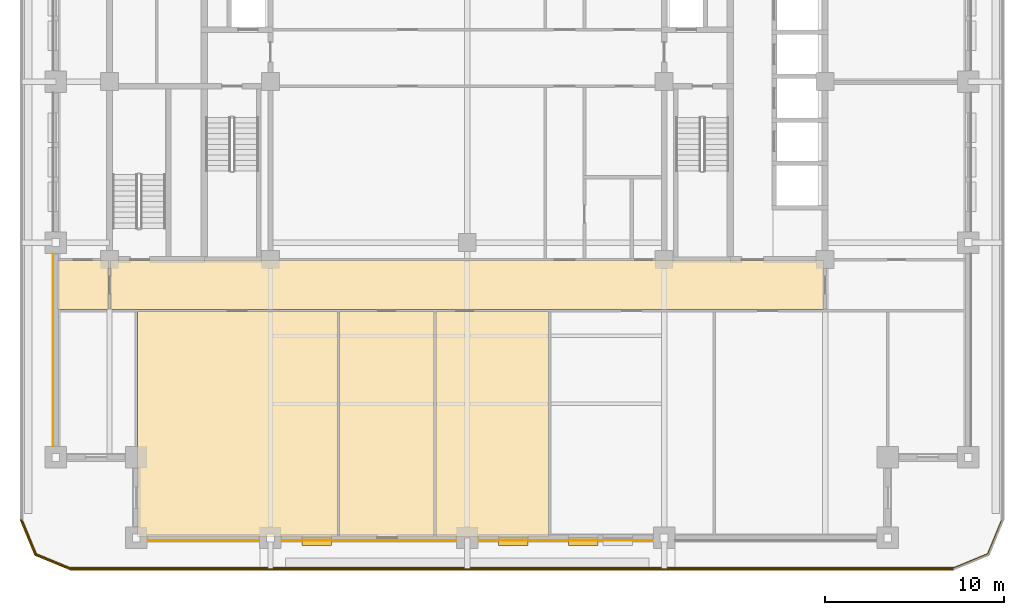
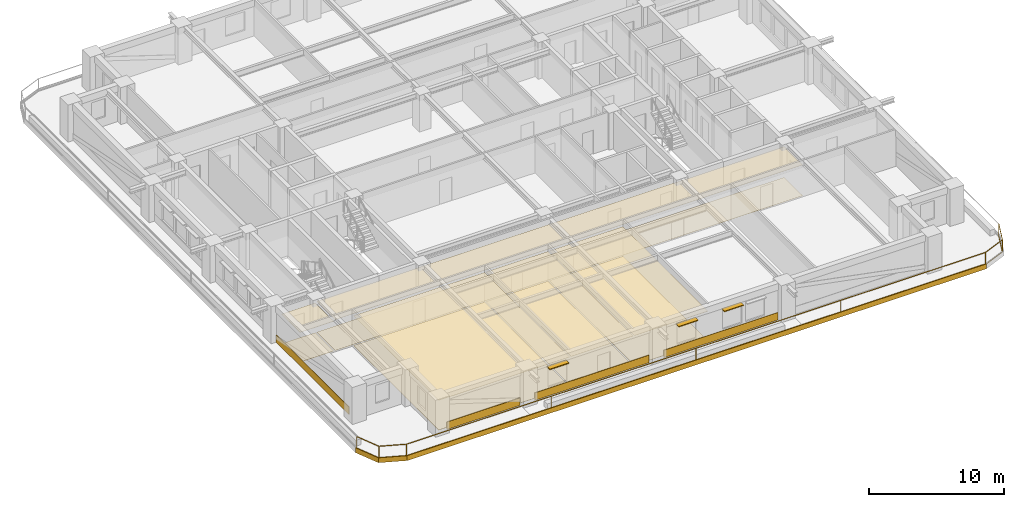
# One storey, part 8 of 13: 17 coverings, 3 shading devices, 1 railing.
"""IFC4 building model written with IfcOpenShell, lengths in metres."""

from ifc_helpers import new_model, si_unit, direction, frame, frame_2d, origin, origin_2d, place, context, subcontext, project, spatial, polyline, rectangle, outline, extrude, material, layer, layer_set, type_object, element, save


model = new_model("IFC4")

# Units and contexts
model_context = context("Model", 3, precision=1e-05, world=origin(), true_north=direction((0.0, 1.0)))
body_context = subcontext(model_context, "Body", "Model", "MODEL_VIEW")
ifc_project = project(units=[si_unit("LENGTHUNIT", "METRE"), si_unit("AREAUNIT", "SQUARE_METRE"), si_unit("VOLUMEUNIT", "CUBIC_METRE"), si_unit("PLANEANGLEUNIT", "RADIAN"), si_unit("MASSUNIT", "GRAM", prefix="KILO")], contexts=[model_context])

# Site, building, storey
site_placement = place(None, origin())
site = spatial("IfcSite", under=ifc_project, at=site_placement, CompositionType="ELEMENT")
building_placement = place(site_placement, origin())
building = spatial("IfcBuilding", under=site, at=building_placement, Name="Zulmaris Gate Convention Tower", CompositionType="ELEMENT")
storey_placement = place(building_placement, frame((0.0, 0.0, 109.2099609375)))
storey = spatial("IfcBuildingStorey", under=building, at=storey_placement, Name="L27", CompositionType="ELEMENT", Elevation=109.2099609375)

# Coverings
ifc_material_1 = material(Name="Precast concrete C40/50", Category="concrete")
ifc_layer_1 = layer(ifc_material_1, 0.0400390625, Name="Precast concrete C40/50")
ifc_layer_set_1 = layer_set([ifc_layer_1], Name="Precast concrete C40/50")
covering_type_1 = type_object("IfcCoveringType", Name="CLAD-SPANDREL-PRECAST", PredefinedType="CLADDING", material=ifc_layer_set_1)
covering_1_placement = place(storey_placement, frame((-17.8701171875, -25.64990234375, 0.0), z_axis=(0.0, 0.0, 1.0), x_axis=(1.0, 0.0, 0.0)))
element("IfcCovering", 1, at=covering_1_placement, inside=storey, type_object=covering_type_1, Name="CLD-L27-S-0_0", PredefinedType="CLADDING", context=body_context, shape_type="SweptSolid", body=[
    extrude(rectangle(XDim=6.240234375, YDim=0.0400390625, at=frame_2d((3.1201171875, 0.0))), origin(), (0.0, 0.0, 1.0), 0.679931640625),
])
for number, where, z_axis, x_axis, name in (
    (2, (-10.3701171875, -25.64990234375, 0.0), (0.0, 0.0, 1.0), (1.0, 0.0, 0.0), "CLD-L27-S-1_0"),
    (3, (0.6298828125, -25.64990234375, 0.0), (0.0, 0.0, 1.0), (1.0, 0.0, 0.0), "CLD-L27-S-2_0"),
):
    element("IfcCovering", number, at=place(storey_placement, frame(where, z_axis=z_axis, x_axis=x_axis)), inside=storey, type_object=covering_type_1, Name=name, PredefinedType="CLADDING", context=body_context, shape_type="SweptSolid", body=[
        extrude(rectangle(XDim=9.740234375, YDim=0.0400390625, at=frame_2d((4.8701171875, 0.0))), origin(), (0.0, 0.0, 1.0), 0.679931640625),
    ])
covering_2_placement = place(storey_placement, frame((-23.14990234375, -9.6298828125, 0.0), z_axis=(0.0, 0.0, 1.0), x_axis=(0.0, -1.0, 0.0)))
element("IfcCovering", 4, at=covering_2_placement, inside=storey, type_object=covering_type_1, Name="CLD-L27-W-0_0", PredefinedType="CLADDING", context=body_context, shape_type="SweptSolid", body=[
    extrude(rectangle(XDim=10.740234375, YDim=0.0400390625, at=frame_2d((5.3701171875, 0.0))), origin(), (0.0, 0.0, 1.0), 0.679931640625),
])
ifc_material_2 = material(Name="White Glazed Architectural Precast Concrete C40/50", Category="concrete")
ifc_layer_2 = layer(ifc_material_2, 0.080078125, Name="White Glazed Architectural Precast Concrete C40/50")
ifc_layer_set_2 = layer_set([ifc_layer_2], Name="White Glazed Architectural Precast Concrete C40/50")
covering_type_2 = type_object("IfcCoveringType", Name="CLAD-TRAY-FASCIA", PredefinedType="CLADDING", material=ifc_layer_set_2)
covering_3_placement = place(storey_placement, frame((-24.962890625, -24.484619140625, -0.2900390625), z_axis=(0.0, 0.0, 1.0), x_axis=(0.382656984709, -0.923890487046, 0.0)))
element("IfcCovering", 5, at=covering_3_placement, inside=storey, type_object=covering_type_2, Name="FSC-L27-TR-00", PredefinedType="CLADDING", context=body_context, shape_type="SweptSolid", body=[
    extrude(rectangle(XDim=2.14306640625, YDim=0.080078125, at=frame_2d((1.071533203125, 0.0))), origin(), (0.0, 0.0, 1.0), 0.440185546875),
])
covering_4_placement = place(storey_placement, frame((-24.16455078125, -26.44287109375, -0.2900390625), z_axis=(0.0, 0.0, 1.0), x_axis=(0.923873803533, -0.382697263049, 0.0)))
element("IfcCovering", 6, at=covering_4_placement, inside=storey, type_object=covering_type_2, Name="FSC-L27-TR-01", PredefinedType="CLADDING", context=body_context, shape_type="SweptSolid", body=[
    extrude(rectangle(XDim=2.142822265625, YDim=0.080078125, at=frame_2d((1.0712890625, 0.0))), origin(), (0.0, 0.0, 1.0), 0.440185546875),
])
covering_5_placement = place(storey_placement, frame((-22.199951171875, -27.260009765625, -0.2900390625), z_axis=(0.0, 0.0, 1.0), x_axis=(1.0, 0.0, 0.0)))
element("IfcCovering", 7, at=covering_5_placement, inside=storey, type_object=covering_type_2, Name="FSC-L27-TR-02", PredefinedType="CLADDING", context=body_context, shape_type="SweptSolid", body=[
    extrude(rectangle(XDim=49.39990234375, YDim=0.080078125, at=frame_2d((24.699951171875, 0.0))), origin(), (0.0, 0.0, 1.0), 0.440185546875),
])
ifc_material_3 = material(Name="Mineral Fibre Acoustic Ceiling Tile")
ifc_layer_3 = layer(ifc_material_3, 0.02001953125, Name="Mineral Fibre Acoustic Ceiling Tile")
ifc_layer_set_3 = layer_set([ifc_layer_3], Name="Mineral Fibre Acoustic Ceiling Tile")
covering_type_3 = type_object("IfcCoveringType", Name="CLG-ACOUSTIC-600", PredefinedType="CEILING", material=ifc_layer_set_3)
covering_6_placement = place(storey_placement, frame((0.0, 0.0, 2.778076171875)))
element("IfcCovering", 8, at=covering_6_placement, inside=storey, type_object=covering_type_3, Name="CLG-L27-R29", PredefinedType="CEILING", context=body_context, shape_type="SweptSolid", body=[
    extrude(outline(polyline([(-19.93994140625, -12.739990234375), (19.93994140625, -12.739990234375), (19.93994140625, -10.010009765625), (-19.93994140625, -10.010009765625), (-19.93994140625, -12.739990234375)])), origin(), (0.0, 0.0, 1.0), 0.02001953125),
])
covering_7_placement = place(storey_placement, frame((0.0, 0.0, 2.679931640625)))
element("IfcCovering", 9, at=covering_7_placement, inside=storey, type_object=covering_type_3, Name="CLG-L27-R35", PredefinedType="CEILING", context=body_context, shape_type="SweptSolid", body=[
    extrude(outline(polyline([(-18.43994140625, -25.43994140625), (-7.260009765625, -25.43994140625), (-7.260009765625, -12.860107421875), (-18.43994140625, -12.860107421875), (-18.43994140625, -25.43994140625)])), origin(), (0.0, 0.0, 1.0), 0.02001953125),
])
covering_8_placement = place(storey_placement, frame((0.0, 0.0, 2.679931640625)))
element("IfcCovering", 10, at=covering_8_placement, inside=storey, type_object=covering_type_3, Name="CLG-L27-R36", PredefinedType="CEILING", context=body_context, shape_type="SweptSolid", body=[
    extrude(outline(polyline([(-7.139892578125, -25.43994140625), (-1.860107421875, -25.43994140625), (-1.860107421875, -12.860107421875), (-7.139892578125, -12.860107421875), (-7.139892578125, -25.43994140625)])), origin(), (0.0, 0.0, 1.0), 0.02001953125),
])
covering_9_placement = place(storey_placement, frame((0.0, 0.0, 2.679931640625)))
element("IfcCovering", 11, at=covering_9_placement, inside=storey, type_object=covering_type_3, Name="CLG-L27-R37", PredefinedType="CEILING", context=body_context, shape_type="SweptSolid", body=[
    extrude(outline(polyline([(-1.739990234375, -25.43994140625), (4.5400390625, -25.43994140625), (4.5400390625, -12.860107421875), (-1.739990234375, -12.860107421875), (-1.739990234375, -25.43994140625)])), origin(), (0.0, 0.0, 1.0), 0.02001953125),
])
covering_10_placement = place(storey_placement, frame((0.0, 0.0, 2.679931640625)))
element("IfcCovering", 12, at=covering_10_placement, inside=storey, type_object=covering_type_3, Name="CLG-L27-R47", PredefinedType="CEILING", context=body_context, shape_type="SweptSolid", body=[
    extrude(outline(polyline([(-22.93994140625, -12.739990234375), (-20.06005859375, -12.739990234375), (-20.06005859375, -10.010009765625), (-22.93994140625, -10.010009765625), (-22.93994140625, -12.739990234375)])), origin(), (0.0, 0.0, 1.0), 0.02001953125),
])
ifc_material_4 = material(Name="Woven Acoustic Wool Carpet Tile")
ifc_layer_4 = layer(ifc_material_4, 0.02001953125, Name="Woven Acoustic Wool Carpet Tile")
ifc_layer_set_4 = layer_set([ifc_layer_4], Name="Woven Acoustic Wool Carpet Tile")
covering_type_4 = type_object("IfcCoveringType", Name="FLR-CARPET-12", PredefinedType="FLOORING", material=ifc_layer_set_4)
covering_11_placement = place(storey_placement, origin())
element("IfcCovering", 13, at=covering_11_placement, inside=storey, type_object=covering_type_4, Name="FLR-L27-R29", PredefinedType="FLOORING", context=body_context, shape_type="SweptSolid", body=[
    extrude(outline(polyline([(-19.93994140625, -12.739990234375), (19.93994140625, -12.739990234375), (19.93994140625, -10.010009765625), (-19.93994140625, -10.010009765625), (-19.93994140625, -12.739990234375)])), origin(), (0.0, 0.0, 1.0), 0.02001953125),
])
covering_12_placement = place(storey_placement, origin())
element("IfcCovering", 14, at=covering_12_placement, inside=storey, type_object=covering_type_4, Name="FLR-L27-R35", PredefinedType="FLOORING", context=body_context, shape_type="SweptSolid", body=[
    extrude(outline(polyline([(-18.43994140625, -25.43994140625), (-7.260009765625, -25.43994140625), (-7.260009765625, -12.860107421875), (-18.43994140625, -12.860107421875), (-18.43994140625, -25.43994140625)])), origin(), (0.0, 0.0, 1.0), 0.02001953125),
])
covering_13_placement = place(storey_placement, origin())
element("IfcCovering", 15, at=covering_13_placement, inside=storey, type_object=covering_type_4, Name="FLR-L27-R36", PredefinedType="FLOORING", context=body_context, shape_type="SweptSolid", body=[
    extrude(outline(polyline([(-7.139892578125, -25.43994140625), (-1.860107421875, -25.43994140625), (-1.860107421875, -12.860107421875), (-7.139892578125, -12.860107421875), (-7.139892578125, -25.43994140625)])), origin(), (0.0, 0.0, 1.0), 0.02001953125),
])
covering_14_placement = place(storey_placement, origin())
element("IfcCovering", 16, at=covering_14_placement, inside=storey, type_object=covering_type_4, Name="FLR-L27-R37", PredefinedType="FLOORING", context=body_context, shape_type="SweptSolid", body=[
    extrude(outline(polyline([(-1.739990234375, -25.43994140625), (4.5400390625, -25.43994140625), (4.5400390625, -12.860107421875), (-1.739990234375, -12.860107421875), (-1.739990234375, -25.43994140625)])), origin(), (0.0, 0.0, 1.0), 0.02001953125),
])
covering_15_placement = place(storey_placement, origin())
element("IfcCovering", 17, at=covering_15_placement, inside=storey, type_object=covering_type_4, Name="FLR-L27-R47", PredefinedType="FLOORING", context=body_context, shape_type="SweptSolid", body=[
    extrude(outline(polyline([(-22.93994140625, -12.739990234375), (-20.06005859375, -12.739990234375), (-20.06005859375, -10.010009765625), (-22.93994140625, -10.010009765625), (-22.93994140625, -12.739990234375)])), origin(), (0.0, 0.0, 1.0), 0.02001953125),
])

# Railing
ifc_material_5 = material(Name="Laminated Glass and Stainless Steel", Category="steel")
railing_type = type_object("IfcRailingType", Name="RL-BALC-1150", PredefinedType="BALUSTRADE", material=ifc_material_5)
railing_placement = place(storey_placement, frame((-24.8798828125, -24.5, -0.010009765625)))
element("IfcRailing", 18, at=railing_placement, inside=storey, type_object=railing_type, Name="RL-L27-BALC-S", PredefinedType="BALUSTRADE", context=body_context, shape_type="SweptSolid", body=[
    extrude(rectangle(XDim=0.048095703125, YDim=0.048095703125, at=origin_2d()), frame((0.0, 0.0, 1.1259765625), z_axis=(0.382670664694, -0.92388482095, 0.0), x_axis=(0.92388482095, 0.382670664694, 0.0)), (0.0, 0.0, 1.0), 2.051025390625),
    extrude(rectangle(XDim=0.048095703125, YDim=0.048095703125, at=origin_2d()), frame((0.0, 0.0, 0.02392578125), z_axis=(0.382670664694, -0.92388482095, 0.0), x_axis=(0.92388482095, 0.382670664694, 0.0)), (0.0, 0.0, 1.0), 2.051025390625),
    extrude(rectangle(XDim=0.048095703125, YDim=0.048095703125, at=origin_2d()), frame((0.784912109375, -1.89501953125, 1.1259765625), z_axis=(0.92388482095, -0.382670664694, 0.0), x_axis=(0.382670664694, 0.92388482095, 0.0)), (0.0, 0.0, 1.0), 2.051025390625),
    extrude(rectangle(XDim=0.048095703125, YDim=0.048095703125, at=origin_2d()), frame((0.784912109375, -1.89501953125, 0.02392578125), z_axis=(0.92388482095, -0.382670664694, 0.0), x_axis=(0.382670664694, 0.92388482095, 0.0)), (0.0, 0.0, 1.0), 2.051025390625),
    extrude(rectangle(XDim=0.048095703125, YDim=0.048095703125, at=origin_2d()), frame((2.679931640625, -2.679931640625, 1.1259765625), z_axis=(1.0, 0.0, 0.0), x_axis=(0.0, 1.0, 0.0)), (0.0, 0.0, 1.0), 49.39990234375),
    extrude(rectangle(XDim=0.048095703125, YDim=0.048095703125, at=origin_2d()), frame((2.679931640625, -2.679931640625, 0.02392578125), z_axis=(1.0, 0.0, 0.0), x_axis=(0.0, 1.0, 0.0)), (0.0, 0.0, 1.0), 49.39990234375),
    extrude(rectangle(XDim=0.048095703125, YDim=0.048095703125, at=origin_2d()), frame((52.079833984375, -2.679931640625, 1.1259765625), z_axis=(0.92388482095, 0.382670664694, 0.0), x_axis=(-0.382670664694, 0.92388482095, 0.0)), (0.0, 0.0, 1.0), 2.051025390625),
    extrude(rectangle(XDim=0.048095703125, YDim=0.048095703125, at=origin_2d()), frame((52.079833984375, -2.679931640625, 0.02392578125), z_axis=(0.92388482095, 0.382670664694, 0.0), x_axis=(-0.382670664694, 0.92388482095, 0.0)), (0.0, 0.0, 1.0), 2.051025390625),
    extrude(rectangle(XDim=0.048095703125, YDim=0.048095703125, at=origin_2d()), frame((53.974853515625, -1.89501953125, 1.1259765625), z_axis=(0.382670664694, 0.92388482095, 0.0), x_axis=(-0.92388482095, 0.382670664694, 0.0)), (0.0, 0.0, 1.0), 2.051025390625),
    extrude(rectangle(XDim=0.048095703125, YDim=0.048095703125, at=origin_2d()), frame((53.974853515625, -1.89501953125, 0.02392578125), z_axis=(0.382670664694, 0.92388482095, 0.0), x_axis=(-0.92388482095, 0.382670664694, 0.0)), (0.0, 0.0, 1.0), 2.051025390625),
    extrude(rectangle(XDim=0.0419921875, YDim=0.0419921875, at=origin_2d()), origin(), (0.0, 0.0, 1.0), 1.101806640625),
    extrude(rectangle(XDim=0.0419921875, YDim=0.0419921875, at=origin_2d()), frame((0.784912109375, -1.89501953125, 0.0)), (0.0, 0.0, 1.0), 1.101806640625),
    extrude(rectangle(XDim=0.0419921875, YDim=0.0419921875, at=origin_2d()), frame((2.679931640625, -2.679931640625, 0.0)), (0.0, 0.0, 1.0), 1.101806640625),
    extrude(rectangle(XDim=0.0419921875, YDim=0.0419921875, at=origin_2d()), frame((15.02978515625, -2.679931640625, 0.0)), (0.0, 0.0, 1.0), 1.101806640625),
    extrude(rectangle(XDim=0.0419921875, YDim=0.0419921875, at=origin_2d()), frame((27.3798828125, -2.679931640625, 0.0)), (0.0, 0.0, 1.0), 1.101806640625),
    extrude(rectangle(XDim=0.0419921875, YDim=0.0419921875, at=origin_2d()), frame((39.72998046875, -2.679931640625, 0.0)), (0.0, 0.0, 1.0), 1.101806640625),
    extrude(rectangle(XDim=0.0419921875, YDim=0.0419921875, at=origin_2d()), frame((52.079833984375, -2.679931640625, 0.0)), (0.0, 0.0, 1.0), 1.101806640625),
    extrude(rectangle(XDim=0.0419921875, YDim=0.0419921875, at=origin_2d()), frame((53.974853515625, -1.89501953125, 0.0)), (0.0, 0.0, 1.0), 1.101806640625),
    extrude(rectangle(XDim=0.0419921875, YDim=0.0419921875, at=origin_2d()), frame((54.759765625, 0.0, 0.0)), (0.0, 0.0, 1.0), 1.101806640625),
])

# Shading devices
ifc_material_6 = material(Name="Glazed Ceramic Terracotta", Category="masonry")
ifc_layer_5 = layer(ifc_material_6, 0.070068359375, Name="Glazed Ceramic Terracotta")
ifc_layer_set_5 = layer_set([ifc_layer_5], Name="Glazed Ceramic Terracotta")
shading_device_type = type_object("IfcShadingDeviceType", Name="SHD-SUNSHADE-TC", PredefinedType="AWNING", material=ifc_layer_set_5)
for number, where, z_axis, x_axis, name in (
    (19, (-9.2470703125, -25.719970703125, 2.530029296875), (0.0, 0.0, 1.0), (1.0, 0.0, 0.0), "SHD-EW-L27-S-1_0-1"),
    (20, (1.7529296875, -25.719970703125, 2.530029296875), (0.0, 0.0, 1.0), (1.0, 0.0, 0.0), "SHD-EW-L27-S-2_0-1"),
    (21, (5.64892578125, -25.719970703125, 2.530029296875), (0.0, 0.0, 1.0), (1.0, 0.0, 0.0), "SHD-EW-L27-S-2_0-3"),
):
    element("IfcShadingDevice", number, at=place(storey_placement, frame(where, z_axis=z_axis, x_axis=x_axis)), inside=storey, type_object=shading_device_type, Name=name, PredefinedType="AWNING", context=body_context, shape_type="SweptSolid", body=[
        extrude(rectangle(XDim=1.650146484375, YDim=0.43994140625, at=frame_2d((0.8251953125, 0.0))), origin(), (0.0, 0.0, 1.0), 0.070068359375),
    ])

save(model, "model.ifc")
